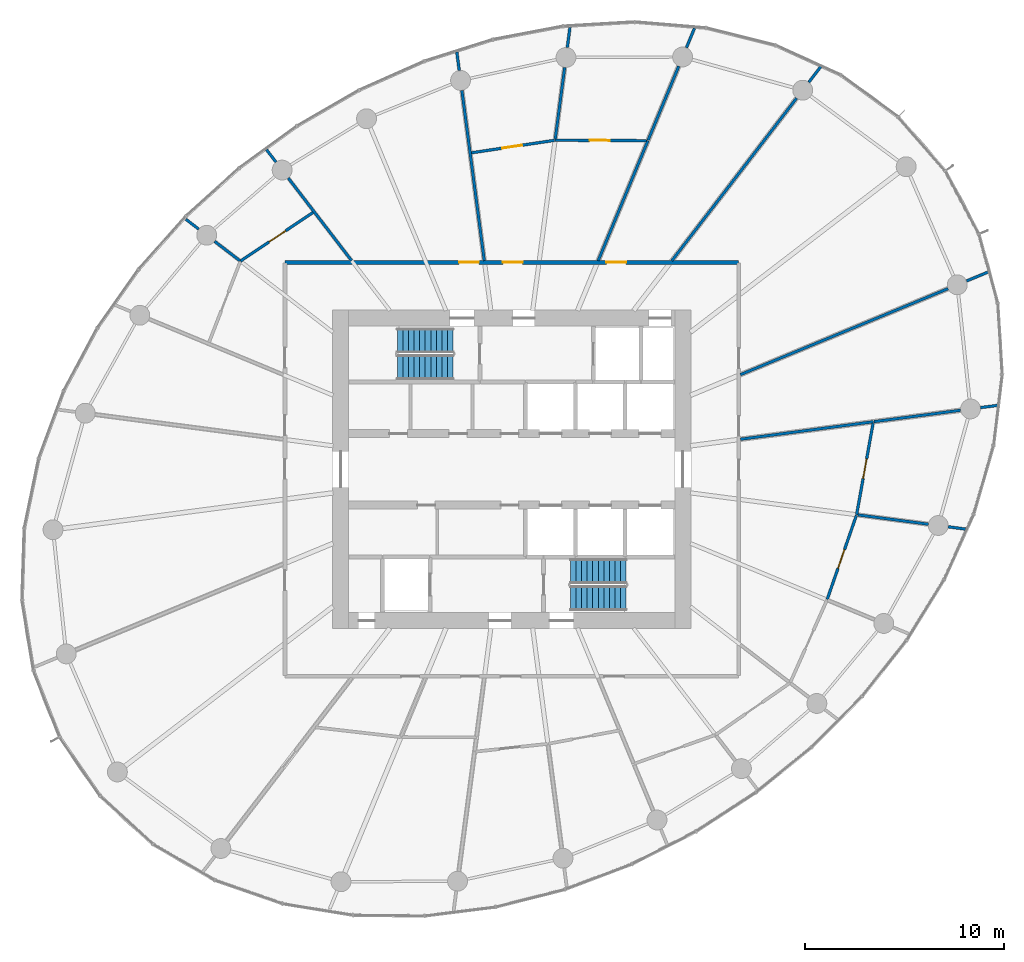
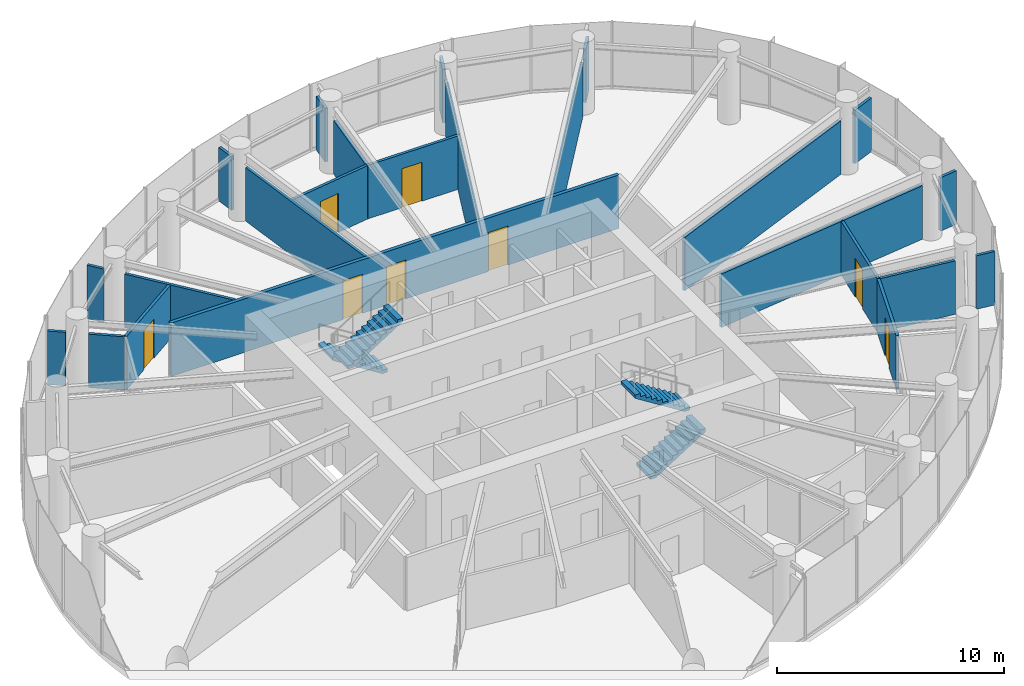
# One storey, part 11 of 14: 26 walls, 8 doors, 4 stair flights, 8 openings, 2 elements without a shape of their own.
"""IFC4 building model written with IfcOpenShell, lengths in metres."""

from ifc_helpers import new_model, si_unit, direction, frame, frame_2d, origin, place, context, subcontext, project, spatial, line, indexed_curve, rectangle, outline, extrude, source, transform, mapped, material, layer, layer_set, type_object, element, fill, aggregate, save


model = new_model("IFC4")

# Units and contexts
model_context = context("Model", 3, precision=1e-05, world=origin(), true_north=direction((0.0, 1.0)))
body_context = subcontext(model_context, "Body", "Model", "MODEL_VIEW")
ifc_project = project(units=[si_unit("LENGTHUNIT", "METRE"), si_unit("AREAUNIT", "SQUARE_METRE"), si_unit("VOLUMEUNIT", "CUBIC_METRE"), si_unit("PLANEANGLEUNIT", "RADIAN"), si_unit("MASSUNIT", "GRAM", prefix="KILO")], contexts=[model_context])

# Site, building, storey
site_placement = place(None, origin())
site = spatial("IfcSite", under=ifc_project, at=site_placement, CompositionType="ELEMENT")
building_placement = place(site_placement, origin())
building = spatial("IfcBuilding", under=site, at=building_placement, Name="Spindrift Exchange Tower", CompositionType="ELEMENT")
storey_placement = place(building_placement, frame((0.0, 0.0, 148.699951171875)))
storey = spatial("IfcBuildingStorey", under=building, at=storey_placement, Name="L35", CompositionType="ELEMENT", Elevation=148.699951171875)

# Wall, openings, doors
ifc_material_1 = material(Name="Fire-rated plasterboard partition", Category="gypsum")
ifc_layer_1 = layer(ifc_material_1, 0.179931640625)
ifc_layer_set_1 = layer_set([ifc_layer_1], Name="W-CORR-180")
wall_type_1 = type_object("IfcWallType", Name="W-CORR-180", PredefinedType="PARTITIONING", material=ifc_layer_set_1)
wall_1_placement = place(storey_placement, frame((40.60009765625, 58.39990234375, 0.0), z_axis=(0.0, 0.0, 1.0), x_axis=(1.0, 0.0, 0.0)))
wall_1 = element("IfcWall", 1, at=wall_1_placement, inside=storey, type_object=wall_type_1, Name="L35 Partition wall 27", PredefinedType="PARTITIONING", context=body_context, shape_type="SweptSolid", body=[
    extrude(rectangle(XDim=22.7998046875, YDim=0.179931640625, at=frame_2d((11.39990234375, 0.0))), origin(), (0.0, 0.0, 1.0), 2.880126953125),
])
opening_1_placement = place(wall_1_placement, frame((16.14990234375, 0.0, 0.0)))
opening_1 = element("IfcOpeningElement", 2, at=opening_1_placement, cuts=wall_1, Name="Opening L35-D34", PredefinedType="OPENING", context=body_context, shape_type="SweptSolid", body=[
    extrude(rectangle(XDim=1.0, YDim=2.10009765625, at=frame_2d((0.5, 1.050048828125))), frame((0.0, 0.099853515625, 0.0), z_axis=(0.0, -1.0, 0.0), x_axis=(1.0, 0.0, 0.0)), (0.0, 0.0, 1.0), 0.199951171875),
])
opening_2_placement = place(wall_1_placement, frame((10.949951171875, 0.0, 0.0)))
opening_2 = element("IfcOpeningElement", 3, at=opening_2_placement, cuts=wall_1, Name="Opening L35-D35", PredefinedType="OPENING", context=body_context, shape_type="SweptSolid", body=[
    extrude(rectangle(XDim=1.0, YDim=2.10009765625, at=frame_2d((0.5, 1.050048828125))), frame((0.0, 0.099853515625, 0.0), z_axis=(0.0, -1.0, 0.0), x_axis=(1.0, 0.0, 0.0)), (0.0, 0.0, 1.0), 0.199951171875),
])
opening_3_placement = place(wall_1_placement, frame((8.75, 0.0, 0.0)))
opening_3 = element("IfcOpeningElement", 4, at=opening_3_placement, cuts=wall_1, Name="Opening L35-D38", PredefinedType="OPENING", context=body_context, shape_type="SweptSolid", body=[
    extrude(rectangle(XDim=1.0, YDim=2.10009765625, at=frame_2d((0.5, 1.050048828125))), frame((0.0, 0.099853515625, 0.0), z_axis=(0.0, -1.0, 0.0), x_axis=(1.0, 0.0, 0.0)), (0.0, 0.0, 1.0), 0.199951171875),
])
ifc_material_2 = material(Name="Timber-core fire door", Category="wood")
door_type = type_object("IfcDoorType", Name="DR-ROOM-1000", OperationType="NOTDEFINED", PredefinedType="DOOR", material=ifc_material_2)
shared_shape = source(origin(), body_context, "Body", "SweptSolid", [
    extrude(rectangle(XDim=1.0, YDim=2.10009765625, at=frame_2d((0.5, 1.050048828125))), frame((0.0, 0.02490234375, 0.0), z_axis=(0.0, -1.0, 0.0), x_axis=(1.0, 0.0, 0.0)), (0.0, 0.0, 1.0), 0.050048828125),
])
door_1_placement = place(opening_1_placement, origin())
door_1 = element("IfcDoor", 5, at=door_1_placement, inside=storey, type_object=door_type, Name="L35 Door 34", OperationType="SINGLE_SWING_RIGHT", OverallHeight=2.10009765625, OverallWidth=1.0, PredefinedType="DOOR", context=body_context, shape_type="MappedRepresentation", body=[
    mapped(shared_shape, transform((0.0, 0.0, 0.0), scale=1.0)),
])
fill(opening_1, door_1)
door_2_placement = place(opening_2_placement, origin())
door_2 = element("IfcDoor", 6, at=door_2_placement, inside=storey, type_object=door_type, Name="L35 Door 35", OperationType="SINGLE_SWING_LEFT", OverallHeight=2.10009765625, OverallWidth=1.0, PredefinedType="DOOR", context=body_context, shape_type="MappedRepresentation", body=[
    mapped(shared_shape, transform((0.0, 0.0, 0.0), scale=1.0)),
])
fill(opening_2, door_2)
door_3_placement = place(opening_3_placement, origin())
door_3 = element("IfcDoor", 7, at=door_3_placement, inside=storey, type_object=door_type, Name="L35 Door 38", OperationType="SINGLE_SWING_RIGHT", OverallHeight=2.10009765625, OverallWidth=1.0, PredefinedType="DOOR", context=body_context, shape_type="MappedRepresentation", body=[
    mapped(shared_shape, transform((0.0, 0.0, 0.0), scale=1.0)),
])
fill(opening_3, door_3)

# Walls
ifc_layer_2 = layer(ifc_material_1, 0.139892578125)
ifc_layer_set_2 = layer_set([ifc_layer_2], Name="W-PART-140")
wall_type_2 = type_object("IfcWallType", Name="W-PART-140", PredefinedType="PARTITIONING", material=ifc_layer_set_2)
wall_2_placement = place(storey_placement, frame((63.489990234375, 52.75927734375, 0.0), z_axis=(0.0, 0.0, 1.0), x_axis=(0.923879643786, 0.382683163725, 0.0)))
element("IfcWall", 8, at=wall_2_placement, inside=storey, type_object=wall_type_2, Name="L35 Partition wall 32", PredefinedType="PARTITIONING", context=body_context, shape_type="SweptSolid", body=[
    extrude(rectangle(XDim=11.30029296875, YDim=0.139892578125, at=frame_2d((5.650146484375, 0.0))), origin(), (0.0, 0.0, 1.0), 2.880126953125),
])
wall_3_placement = place(storey_placement, frame((60.04931640625, 58.489990234375, 0.0), z_axis=(0.0, 0.0, 1.0), x_axis=(0.608768467527, 0.793347939396, 0.0)))
element("IfcWall", 9, at=wall_3_placement, inside=storey, type_object=wall_type_2, Name="L35 Partition wall 34", PredefinedType="PARTITIONING", context=body_context, shape_type="SweptSolid", body=[
    extrude(rectangle(XDim=10.297119140625, YDim=0.139892578125, at=frame_2d((5.1484375, 0.0))), origin(), (0.0, 0.0, 1.0), 2.880126953125),
])
wall_4_placement = place(storey_placement, frame((49.491943359375, 67.05126953125, 0.0), z_axis=(0.0, 0.0, 1.0), x_axis=(0.130507901859, -0.991447269174, 0.0)))
element("IfcWall", 10, at=wall_4_placement, inside=storey, type_object=wall_type_2, Name="L35 Partition wall 36", PredefinedType="PARTITIONING", context=body_context, shape_type="SweptSolid", body=[
    extrude(rectangle(XDim=8.63525390625, YDim=0.139892578125, at=frame_2d((4.317626953125, 0.0))), origin(), (0.0, 0.0, 1.0), 2.880126953125),
])
wall_5_placement = place(storey_placement, frame((63.489990234375, 49.5126953125, 0.0), z_axis=(0.0, 0.0, 1.0), x_axis=(0.991446283941, 0.130515386292, 0.0)))
element("IfcWall", 11, at=wall_5_placement, inside=storey, type_object=wall_type_2, Name="L35 Partition wall 38", PredefinedType="PARTITIONING", context=body_context, shape_type="SweptSolid", body=[
    extrude(rectangle(XDim=6.743408203125, YDim=0.139892578125, at=frame_2d((3.37158203125, 0.0))), origin(), (0.0, 0.0, 1.0), 2.880126953125),
])
wall_6_placement = place(storey_placement, frame((56.34521484375, 58.489990234375, 0.0), z_axis=(0.0, 0.0, 1.0), x_axis=(0.382678770184, 0.923881463636, 0.0)))
element("IfcWall", 12, at=wall_6_placement, inside=storey, type_object=wall_type_2, Name="L35 Partition wall 39", PredefinedType="PARTITIONING", context=body_context, shape_type="SweptSolid", body=[
    extrude(rectangle(XDim=6.5283203125, YDim=0.139892578125, at=frame_2d((3.26416015625, 0.0))), origin(), (0.0, 0.0, 1.0), 2.880126953125),
])
wall_7_placement = place(storey_placement, frame((40.76318359375, 62.644287109375, 0.0), z_axis=(0.0, 0.0, 1.0), x_axis=(0.608736894437, -0.793372165728, 0.0)))
element("IfcWall", 13, at=wall_7_placement, inside=storey, type_object=wall_type_2, Name="L35 Partition wall 41", PredefinedType="PARTITIONING", context=body_context, shape_type="SweptSolid", body=[
    extrude(rectangle(XDim=5.236328125, YDim=0.139892578125, at=frame_2d((2.6181640625, 0.0))), origin(), (0.0, 0.0, 1.0), 2.880126953125),
])

# Wall, opening, door
wall_8_placement = place(storey_placement, frame((70.162841796875, 50.320556640625, 0.0), z_axis=(0.0, 0.0, 1.0), x_axis=(-0.176973990447, -0.984215528584, 0.0)))
wall_8 = element("IfcWall", 14, at=wall_8_placement, inside=storey, type_object=wall_type_2, Name="L35 Partition wall 43", PredefinedType="PARTITIONING", context=body_context, shape_type="SweptSolid", body=[
    extrude(rectangle(XDim=4.676513671875, YDim=0.139892578125, at=frame_2d((2.33837890625, 0.0))), origin(), (0.0, 0.0, 1.0), 2.880126953125),
])
opening_4_placement = place(wall_8_placement, frame((1.82666015625, 0.0, 0.0)))
opening_4 = element("IfcOpeningElement", 15, at=opening_4_placement, cuts=wall_8, Name="Opening L35-D31", PredefinedType="OPENING", context=body_context, shape_type="SweptSolid", body=[
    extrude(rectangle(XDim=1.0, YDim=2.10009765625, at=frame_2d((0.5, 1.050048828125))), frame((0.0, 0.079833984375, 0.0), z_axis=(0.0, -1.0, 0.0), x_axis=(1.0, 0.0, 0.0)), (0.0, 0.0, 1.0), 0.159912109375),
])
door_4_placement = place(opening_4_placement, origin())
door_4 = element("IfcDoor", 16, at=door_4_placement, inside=storey, type_object=door_type, Name="L35 Door 31", OperationType="SINGLE_SWING_LEFT", OverallHeight=2.10009765625, OverallWidth=1.0, PredefinedType="DOOR", context=body_context, shape_type="MappedRepresentation", body=[
    mapped(shared_shape, transform((0.0, 0.0, 0.0), scale=1.0)),
])
fill(opening_4, door_4)

wall_9_placement = place(storey_placement, frame((54.177978515625, 64.5439453125, 0.0), z_axis=(0.0, 0.0, 1.0), x_axis=(0.999988285346, -0.004840368828, 0.0)))
wall_9 = element("IfcWall", 17, at=wall_9_placement, inside=storey, type_object=wall_type_2, Name="L35 Partition wall 44", PredefinedType="PARTITIONING", context=body_context, shape_type="SweptSolid", body=[
    extrude(rectangle(XDim=4.58984375, YDim=0.139892578125, at=frame_2d((2.294921875, 0.0))), origin(), (0.0, 0.0, 1.0), 2.880126953125),
])
opening_5_placement = place(wall_9_placement, frame((1.73974609375, 0.0, 0.0)))
opening_5 = element("IfcOpeningElement", 18, at=opening_5_placement, cuts=wall_9, Name="Opening L35-D36", PredefinedType="OPENING", context=body_context, shape_type="SweptSolid", body=[
    extrude(rectangle(XDim=1.0, YDim=2.10009765625, at=frame_2d((0.5, 1.050048828125))), frame((0.0, 0.079833984375, 0.0), z_axis=(0.0, -1.0, 0.0), x_axis=(1.0, 0.0, 0.0)), (0.0, 0.0, 1.0), 0.159912109375),
])
door_5_placement = place(opening_5_placement, origin())
door_5 = element("IfcDoor", 19, at=door_5_placement, inside=storey, type_object=door_type, Name="L35 Door 36", OperationType="SINGLE_SWING_RIGHT", OverallHeight=2.10009765625, OverallWidth=1.0, PredefinedType="DOOR", context=body_context, shape_type="MappedRepresentation", body=[
    mapped(shared_shape, transform((0.0, 0.0, 0.0), scale=1.0)),
])
fill(opening_5, door_5)

wall_10_placement = place(storey_placement, frame((69.325439453125, 45.689453125, 0.0), z_axis=(0.0, 0.0, 1.0), x_axis=(-0.328285644794, -0.944578496168, 0.0)))
wall_10 = element("IfcWall", 20, at=wall_10_placement, inside=storey, type_object=wall_type_2, Name="L35 Partition wall 47", PredefinedType="PARTITIONING", context=body_context, shape_type="SweptSolid", body=[
    extrude(rectangle(XDim=4.47314453125, YDim=0.139892578125, at=frame_2d((2.236572265625, 0.0))), origin(), (0.0, 0.0, 1.0), 2.880126953125),
])
opening_6_placement = place(wall_10_placement, frame((1.822998046875, 0.0, 0.0)))
opening_6 = element("IfcOpeningElement", 21, at=opening_6_placement, cuts=wall_10, Name="Opening L35-D30", PredefinedType="OPENING", context=body_context, shape_type="SweptSolid", body=[
    extrude(rectangle(XDim=1.0, YDim=2.10009765625, at=frame_2d((0.5, 1.050048828125))), frame((0.0, 0.079833984375, 0.0), z_axis=(0.0, -1.0, 0.0), x_axis=(1.0, 0.0, 0.0)), (0.0, 0.0, 1.0), 0.159912109375),
])
door_6_placement = place(opening_6_placement, origin())
door_6 = element("IfcDoor", 22, at=door_6_placement, inside=storey, type_object=door_type, Name="L35 Door 30", OperationType="SINGLE_SWING_RIGHT", OverallHeight=2.10009765625, OverallWidth=1.0, PredefinedType="DOOR", context=body_context, shape_type="MappedRepresentation", body=[
    mapped(shared_shape, transform((0.0, 0.0, 0.0), scale=1.0)),
])
fill(opening_6, door_6)

wall_11_placement = place(storey_placement, frame((38.359375, 58.466796875, 0.0), z_axis=(0.0, 0.0, 1.0), x_axis=(0.830687145269, 0.55673949625, 0.0)))
wall_11 = element("IfcWall", 23, at=wall_11_placement, inside=storey, type_object=wall_type_2, Name="L35 Partition wall 48", PredefinedType="PARTITIONING", context=body_context, shape_type="SweptSolid", body=[
    extrude(rectangle(XDim=4.38916015625, YDim=0.139892578125, at=frame_2d((2.194580078125, 0.0))), origin(), (0.0, 0.0, 1.0), 2.880126953125),
])
opening_7_placement = place(wall_11_placement, frame((1.739013671875, 0.0, 0.0)))
opening_7 = element("IfcOpeningElement", 24, at=opening_7_placement, cuts=wall_11, Name="Opening L35-D40", PredefinedType="OPENING", context=body_context, shape_type="SweptSolid", body=[
    extrude(rectangle(XDim=1.0, YDim=2.10009765625, at=frame_2d((0.5, 1.050048828125))), frame((0.0, 0.079833984375, 0.0), z_axis=(0.0, -1.0, 0.0), x_axis=(1.0, 0.0, 0.0)), (0.0, 0.0, 1.0), 0.159912109375),
])
door_7_placement = place(opening_7_placement, origin())
door_7 = element("IfcDoor", 25, at=door_7_placement, inside=storey, type_object=door_type, Name="L35 Door 40", OperationType="SINGLE_SWING_RIGHT", OverallHeight=2.10009765625, OverallWidth=1.0, PredefinedType="DOOR", context=body_context, shape_type="MappedRepresentation", body=[
    mapped(shared_shape, transform((0.0, 0.0, 0.0), scale=1.0)),
])
fill(opening_7, door_7)

# Wall
wall_12_placement = place(storey_placement, frame((70.205810546875, 50.396728515625, 0.0), z_axis=(0.0, 0.0, 1.0), x_axis=(0.991445404362, 0.130522067749, 0.0)))
element("IfcWall", 26, at=wall_12_placement, inside=storey, type_object=wall_type_2, Name="L35 Partition wall 50", PredefinedType="PARTITIONING", context=body_context, shape_type="SweptSolid", body=[
    extrude(rectangle(XDim=4.393798828125, YDim=0.139892578125, at=frame_2d((2.19677734375, 0.0))), origin(), (0.0, 0.0, 1.0), 2.880126953125),
])

# Wall, opening, door
wall_13_placement = place(storey_placement, frame((49.975830078125, 63.91162109375, 0.0), z_axis=(0.0, 0.0, 1.0), x_axis=(0.988865366458, 0.14881292625, 0.0)))
wall_13 = element("IfcWall", 27, at=wall_13_placement, inside=storey, type_object=wall_type_2, Name="L35 Partition wall 53", PredefinedType="PARTITIONING", context=body_context, shape_type="SweptSolid", body=[
    extrude(rectangle(XDim=4.219482421875, YDim=0.139892578125, at=frame_2d((2.10986328125, 0.0))), origin(), (0.0, 0.0, 1.0), 2.880126953125),
])
opening_8_placement = place(wall_13_placement, frame((1.569580078125, 0.0, 0.0)))
opening_8 = element("IfcOpeningElement", 28, at=opening_8_placement, cuts=wall_13, Name="Opening L35-D37", PredefinedType="OPENING", context=body_context, shape_type="SweptSolid", body=[
    extrude(rectangle(XDim=1.0, YDim=2.10009765625, at=frame_2d((0.5, 1.050048828125))), frame((0.0, 0.079833984375, 0.0), z_axis=(0.0, -1.0, 0.0), x_axis=(1.0, 0.0, 0.0)), (0.0, 0.0, 1.0), 0.159912109375),
])
door_8_placement = place(opening_8_placement, origin())
door_8 = element("IfcDoor", 29, at=door_8_placement, inside=storey, type_object=door_type, Name="L35 Door 37", OperationType="SINGLE_SWING_LEFT", OverallHeight=2.10009765625, OverallWidth=1.0, PredefinedType="DOOR", context=body_context, shape_type="MappedRepresentation", body=[
    mapped(shared_shape, transform((0.0, 0.0, 0.0), scale=1.0)),
])
fill(opening_8, door_8)

# Walls
wall_14_placement = place(storey_placement, frame((58.854736328125, 64.549072265625, 0.0), z_axis=(0.0, 0.0, 1.0), x_axis=(0.38270923815, 0.923868842983, 0.0)))
element("IfcWall", 30, at=wall_14_placement, inside=storey, type_object=wall_type_2, Name="L35 Partition wall 54", PredefinedType="PARTITIONING", context=body_context, shape_type="SweptSolid", body=[
    extrude(rectangle(XDim=4.021484375, YDim=0.139892578125, at=frame_2d((2.0107421875, 0.0))), origin(), (0.0, 0.0, 1.0), 2.880126953125),
])
wall_15_placement = place(storey_placement, frame((54.187255859375, 64.614013671875, 0.0), z_axis=(0.0, 0.0, 1.0), x_axis=(0.130560871019, 0.991440295206, 0.0)))
element("IfcWall", 31, at=wall_15_placement, inside=storey, type_object=wall_type_2, Name="L35 Partition wall 57", PredefinedType="PARTITIONING", context=body_context, shape_type="SweptSolid", body=[
    extrude(rectangle(XDim=3.6220703125, YDim=0.139892578125, at=frame_2d((1.81103515625, 0.0))), origin(), (0.0, 0.0, 1.0), 2.880126953125),
])
wall_16_placement = place(storey_placement, frame((69.40478515625, 45.70849609375, 0.0), z_axis=(0.0, 0.0, 1.0), x_axis=(0.991452431546, -0.130468678164, 0.0)))
element("IfcWall", 32, at=wall_16_placement, inside=storey, type_object=wall_type_2, Name="L35 Partition wall 59", PredefinedType="PARTITIONING", context=body_context, shape_type="SweptSolid", body=[
    extrude(rectangle(XDim=3.566650390625, YDim=0.139892578125, at=frame_2d((1.783203125, 0.0))), origin(), (0.0, 0.0, 1.0), 2.880126953125),
])
wall_17_placement = place(storey_placement, frame((38.33544921875, 58.485107421875, 0.0), z_axis=(0.0, 0.0, 1.0), x_axis=(-0.793297349566, 0.608834390595, 0.0)))
element("IfcWall", 33, at=wall_17_placement, inside=storey, type_object=wall_type_2, Name="L35 Partition wall 70", PredefinedType="PARTITIONING", context=body_context, shape_type="SweptSolid", body=[
    extrude(rectangle(XDim=1.602783203125, YDim=0.139892578125, at=frame_2d((0.80126953125, 0.0))), origin(), (0.0, 0.0, 1.0), 2.880126953125),
])
wall_18_placement = place(storey_placement, frame((74.86328125, 57.47021484375, 0.0), z_axis=(0.0, 0.0, 1.0), x_axis=(0.923842754498, 0.382772210279, 0.0)))
element("IfcWall", 34, at=wall_18_placement, inside=storey, type_object=wall_type_2, Name="L35 Partition wall 71", PredefinedType="PARTITIONING", context=body_context, shape_type="SweptSolid", body=[
    extrude(rectangle(XDim=1.2138671875, YDim=0.139892578125, at=frame_2d((0.60693359375, 0.0))), origin(), (0.0, 0.0, 1.0), 2.880126953125),
])
wall_19_placement = place(storey_placement, frame((60.7802734375, 69.197509765625, 0.0), z_axis=(0.0, 0.0, 1.0), x_axis=(0.382658470946, 0.923889871474, 0.0)))
element("IfcWall", 35, at=wall_19_placement, inside=storey, type_object=wall_type_2, Name="L35 Partition wall 74", PredefinedType="PARTITIONING", context=body_context, shape_type="SweptSolid", body=[
    extrude(rectangle(XDim=1.0546875, YDim=0.139892578125, at=frame_2d((0.52734375, 0.0))), origin(), (0.0, 0.0, 1.0), 2.880126953125),
])
wall_20_placement = place(storey_placement, frame((54.791748046875, 69.205322265625, 0.0), z_axis=(0.0, 0.0, 1.0), x_axis=(0.130609492545, 0.991433891118, 0.0)))
element("IfcWall", 36, at=wall_20_placement, inside=storey, type_object=wall_type_2, Name="L35 Partition wall 75", PredefinedType="PARTITIONING", context=body_context, shape_type="SweptSolid", body=[
    extrude(rectangle(XDim=1.018798828125, YDim=0.139892578125, at=frame_2d((0.50927734375, 0.0))), origin(), (0.0, 0.0, 1.0), 2.880126953125),
])
wall_21_placement = place(storey_placement, frame((66.931884765625, 67.459716796875, 0.0), z_axis=(0.0, 0.0, 1.0), x_axis=(0.608854774338, 0.793281705175, 0.0)))
element("IfcWall", 37, at=wall_21_placement, inside=storey, type_object=wall_type_2, Name="L35 Partition wall 78", PredefinedType="PARTITIONING", context=body_context, shape_type="SweptSolid", body=[
    extrude(rectangle(XDim=0.992919921875, YDim=0.139892578125, at=frame_2d((0.49658203125, 0.0))), origin(), (0.0, 0.0, 1.0), 2.880126953125),
])
wall_22_placement = place(storey_placement, frame((49.360107421875, 68.051513671875, 0.0), z_axis=(0.0, 0.0, 1.0), x_axis=(-0.130488267119, 0.99144985357, 0.0)))
element("IfcWall", 38, at=wall_22_placement, inside=storey, type_object=wall_type_2, Name="L35 Partition wall 80", PredefinedType="PARTITIONING", context=body_context, shape_type="SweptSolid", body=[
    extrude(rectangle(XDim=0.935546875, YDim=0.139892578125, at=frame_2d((0.4677734375, 0.0))), origin(), (0.0, 0.0, 1.0), 2.880126953125),
])
wall_23_placement = place(storey_placement, frame((73.941162109375, 45.111328125, 0.0), z_axis=(0.0, 0.0, 1.0), x_axis=(0.99146844902, -0.13034690099, 0.0)))
element("IfcWall", 39, at=wall_23_placement, inside=storey, type_object=wall_type_2, Name="L35 Partition wall 82", PredefinedType="PARTITIONING", context=body_context, shape_type="SweptSolid", body=[
    extrude(rectangle(XDim=0.88037109375, YDim=0.139892578125, at=frame_2d((0.440185546875, 0.0))), origin(), (0.0, 0.0, 1.0), 2.880126953125),
])
wall_24_placement = place(storey_placement, frame((75.56201171875, 51.10205078125, 0.0), z_axis=(0.0, 0.0, 1.0), x_axis=(0.991459985339, 0.130411262827, 0.0)))
element("IfcWall", 40, at=wall_24_placement, inside=storey, type_object=wall_type_2, Name="L35 Partition wall 83", PredefinedType="PARTITIONING", context=body_context, shape_type="SweptSolid", body=[
    extrude(rectangle(XDim=0.876220703125, YDim=0.139892578125, at=frame_2d((0.43798828125, 0.0))), origin(), (0.0, 0.0, 1.0), 2.880126953125),
])
wall_25_placement = place(storey_placement, frame((36.263427734375, 60.0751953125, 0.0), z_axis=(0.0, 0.0, 1.0), x_axis=(-0.79344724315, 0.608639032873, 0.0)))
element("IfcWall", 41, at=wall_25_placement, inside=storey, type_object=wall_type_2, Name="L35 Partition wall 88", PredefinedType="PARTITIONING", context=body_context, shape_type="SweptSolid", body=[
    extrude(rectangle(XDim=0.815185546875, YDim=0.139892578125, at=frame_2d((0.40771484375, 0.0))), origin(), (0.0, 0.0, 1.0), 2.880126953125),
])
wall_26_placement = place(storey_placement, frame((40.14892578125, 63.444580078125, 0.0), z_axis=(0.0, 0.0, 1.0), x_axis=(-0.608886809997, 0.793257116332, 0.0)))
element("IfcWall", 42, at=wall_26_placement, inside=storey, type_object=wall_type_2, Name="L35 Partition wall 90", PredefinedType="PARTITIONING", context=body_context, shape_type="SweptSolid", body=[
    extrude(rectangle(XDim=0.787841796875, YDim=0.139892578125, at=frame_2d((0.39404296875, 0.0))), origin(), (0.0, 0.0, 1.0), 2.880126953125),
])

# Stair, stair flights
ifc_material_3 = material(Name="Concrete 50 MPa", Category="concrete")
stair_type = type_object("IfcStairType", Name="ST-1250-R177", PredefinedType="HALF_TURN_STAIR", material=ifc_material_3)
stair_1_placement = place(storey_placement, origin())
stair_1 = element("IfcStair", 43, at=stair_1_placement, inside=storey, type_object=stair_type, Name="L35 Exit stair ST1", PredefinedType="HALF_TURN_STAIR")
stair_flight_type = type_object("IfcStairFlightType", Name="STF-1250-R177", PredefinedType="STRAIGHT", material=ifc_material_3)
stair_flight_1_placement = place(storey_placement, frame((49.050048828125, 54.47509765625, 0.0), z_axis=(0.0, 0.0, 1.0), x_axis=(-1.0, 0.0, 0.0)))
stair_flight_1 = element("IfcStairFlight", 44, at=stair_flight_1_placement, type_object=stair_flight_type, Name="ST1 flight 1", NumberOfRisers=11, NumberOfTreads=10, PredefinedType="STRAIGHT", RiserHeight=0.177272727, TreadLength=0.28, context=body_context, shape_type="SweptSolid", body=[
    extrude(outline(indexed_curve([(0.0, 0.0), (0.0, 0.177734375), (0.2802734375, 0.177734375), (0.2802734375, 0.3544921875), (0.5595703125, 0.3544921875), (0.5595703125, 0.5322265625), (0.83984375, 0.5322265625), (0.83984375, 0.708984375), (1.1201171875, 0.708984375), (1.1201171875, 0.88671875), (1.400390625, 0.88671875), (1.400390625, 1.0634765625), (1.6796875, 1.0634765625), (1.6796875, 1.2412109375), (1.9599609375, 1.2412109375), (1.9599609375, 1.41796875), (2.240234375, 1.41796875), (2.240234375, 1.595703125), (2.51953125, 1.595703125), (2.51953125, 1.7724609375), (2.7998046875, 1.7724609375), (2.7998046875, 1.9501953125), (2.7998046875, 1.595703125), (0.2802734375, 0.0)], segments=[line(1, 2, 3, 4, 5, 6, 7, 8, 9, 10, 11, 12, 13, 14, 15, 16, 17, 18, 19, 20, 21, 22, 23, 24, 1)], self_intersect=False)), frame((0.0, 0.625, 0.0), z_axis=(0.0, -1.0, 0.0), x_axis=(1.0, 0.0, 0.0)), (0.0, 0.0, 1.0), 1.25),
])
stair_flight_2_placement = place(storey_placement, frame((46.25, 53.125, 1.949951171875), z_axis=(0.0, 0.0, 1.0), x_axis=(1.0, 0.0, 0.0)))
stair_flight_2 = element("IfcStairFlight", 45, at=stair_flight_2_placement, type_object=stair_flight_type, Name="ST1 flight 2", NumberOfRisers=11, NumberOfTreads=10, PredefinedType="STRAIGHT", RiserHeight=0.177272727, TreadLength=0.28, context=body_context, shape_type="SweptSolid", body=[
    extrude(outline(indexed_curve([(0.0, 0.0), (0.0, 0.177734375), (0.2802734375, 0.177734375), (0.2802734375, 0.3544921875), (0.5595703125, 0.3544921875), (0.5595703125, 0.5322265625), (0.83984375, 0.5322265625), (0.83984375, 0.708984375), (1.1201171875, 0.708984375), (1.1201171875, 0.88671875), (1.400390625, 0.88671875), (1.400390625, 1.0634765625), (1.6796875, 1.0634765625), (1.6796875, 1.2412109375), (1.9599609375, 1.2412109375), (1.9599609375, 1.41796875), (2.240234375, 1.41796875), (2.240234375, 1.595703125), (2.51953125, 1.595703125), (2.51953125, 1.7724609375), (2.7998046875, 1.7724609375), (2.7998046875, 1.9501953125), (2.7998046875, 1.595703125), (0.2802734375, 0.0)], segments=[line(1, 2, 3, 4, 5, 6, 7, 8, 9, 10, 11, 12, 13, 14, 15, 16, 17, 18, 19, 20, 21, 22, 23, 24, 1)], self_intersect=False)), frame((0.0, 0.625, 0.0), z_axis=(0.0, -1.0, 0.0), x_axis=(1.0, 0.0, 0.0)), (0.0, 0.0, 1.0), 1.25),
])
aggregate(stair_1, [stair_flight_1, stair_flight_2])

stair_2_placement = place(storey_placement, origin())
stair_2 = element("IfcStair", 46, at=stair_2_placement, inside=storey, type_object=stair_type, Name="L35 Exit stair ST2", PredefinedType="HALF_TURN_STAIR")
stair_flight_3_placement = place(storey_placement, frame((54.949951171875, 41.52490234375, 0.0), z_axis=(0.0, 0.0, 1.0), x_axis=(1.0, 0.0, 0.0)))
stair_flight_3 = element("IfcStairFlight", 47, at=stair_flight_3_placement, type_object=stair_flight_type, Name="ST2 flight 1", NumberOfRisers=11, NumberOfTreads=10, PredefinedType="STRAIGHT", RiserHeight=0.177272727, TreadLength=0.28, context=body_context, shape_type="SweptSolid", body=[
    extrude(outline(indexed_curve([(0.0, 0.0), (0.0, 0.177734375), (0.2802734375, 0.177734375), (0.2802734375, 0.3544921875), (0.5595703125, 0.3544921875), (0.5595703125, 0.5322265625), (0.83984375, 0.5322265625), (0.83984375, 0.708984375), (1.1201171875, 0.708984375), (1.1201171875, 0.88671875), (1.400390625, 0.88671875), (1.400390625, 1.0634765625), (1.6796875, 1.0634765625), (1.6796875, 1.2412109375), (1.9599609375, 1.2412109375), (1.9599609375, 1.41796875), (2.240234375, 1.41796875), (2.240234375, 1.595703125), (2.51953125, 1.595703125), (2.51953125, 1.7724609375), (2.7998046875, 1.7724609375), (2.7998046875, 1.9501953125), (2.7998046875, 1.595703125), (0.2802734375, 0.0)], segments=[line(1, 2, 3, 4, 5, 6, 7, 8, 9, 10, 11, 12, 13, 14, 15, 16, 17, 18, 19, 20, 21, 22, 23, 24, 1)], self_intersect=False)), frame((0.0, 0.625, 0.0), z_axis=(0.0, -1.0, 0.0), x_axis=(1.0, 0.0, 0.0)), (0.0, 0.0, 1.0), 1.25),
])
stair_flight_4_placement = place(storey_placement, frame((57.75, 42.875, 1.949951171875), z_axis=(0.0, 0.0, 1.0), x_axis=(-1.0, 0.0, 0.0)))
stair_flight_4 = element("IfcStairFlight", 48, at=stair_flight_4_placement, type_object=stair_flight_type, Name="ST2 flight 2", NumberOfRisers=11, NumberOfTreads=10, PredefinedType="STRAIGHT", RiserHeight=0.177272727, TreadLength=0.28, context=body_context, shape_type="SweptSolid", body=[
    extrude(outline(indexed_curve([(0.0, 0.0), (0.0, 0.177734375), (0.2802734375, 0.177734375), (0.2802734375, 0.3544921875), (0.5595703125, 0.3544921875), (0.5595703125, 0.5322265625), (0.83984375, 0.5322265625), (0.83984375, 0.708984375), (1.1201171875, 0.708984375), (1.1201171875, 0.88671875), (1.400390625, 0.88671875), (1.400390625, 1.0634765625), (1.6796875, 1.0634765625), (1.6796875, 1.2412109375), (1.9599609375, 1.2412109375), (1.9599609375, 1.41796875), (2.240234375, 1.41796875), (2.240234375, 1.595703125), (2.51953125, 1.595703125), (2.51953125, 1.7724609375), (2.7998046875, 1.7724609375), (2.7998046875, 1.9501953125), (2.7998046875, 1.595703125), (0.2802734375, 0.0)], segments=[line(1, 2, 3, 4, 5, 6, 7, 8, 9, 10, 11, 12, 13, 14, 15, 16, 17, 18, 19, 20, 21, 22, 23, 24, 1)], self_intersect=False)), frame((0.0, 0.625, 0.0), z_axis=(0.0, -1.0, 0.0), x_axis=(1.0, 0.0, 0.0)), (0.0, 0.0, 1.0), 1.25),
])
aggregate(stair_2, [stair_flight_3, stair_flight_4])

save(model, "model.ifc")
